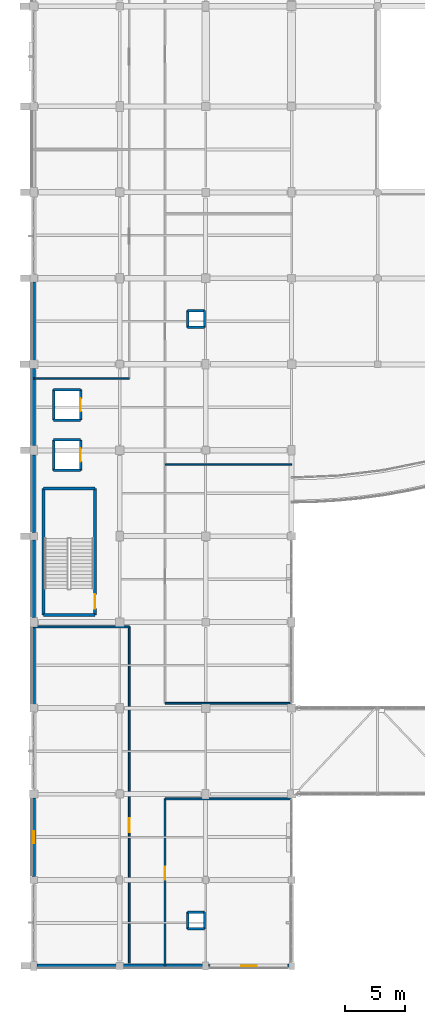
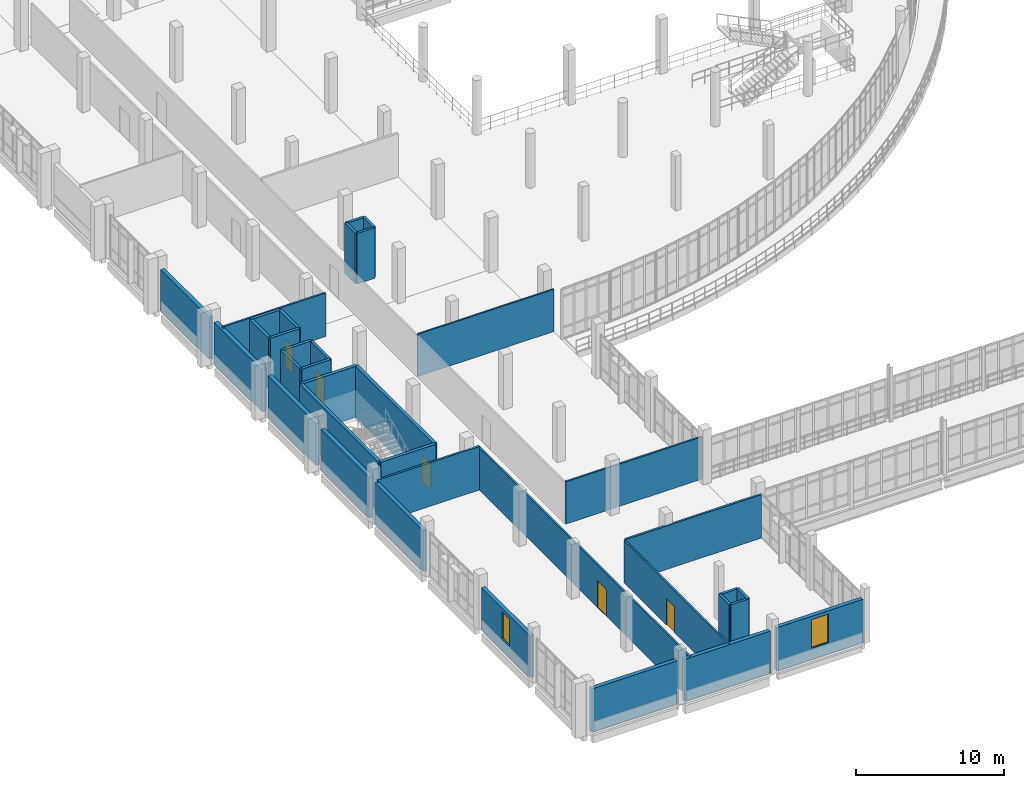
# One storey, part 106 of 124: 36 walls, 5 doors, 2 windows, 7 openings.
"""IFC4 building model written with IfcOpenShell, lengths in metres."""

from ifc_helpers import new_model, si_unit, direction, frame, frame_2d, origin, place, context, subcontext, project, spatial, rectangle, extrude, material, layer, layer_set, type_object, element, fill, save


model = new_model("IFC4")

# Units and contexts
model_context = context("Model", 3, precision=1e-05, world=origin(), true_north=direction((0.0, 1.0)))
body_context = subcontext(model_context, "Body", "Model", "MODEL_VIEW")
ifc_project = project(units=[si_unit("LENGTHUNIT", "METRE"), si_unit("AREAUNIT", "SQUARE_METRE"), si_unit("VOLUMEUNIT", "CUBIC_METRE"), si_unit("PLANEANGLEUNIT", "RADIAN"), si_unit("MASSUNIT", "GRAM", prefix="KILO")], contexts=[model_context])

# Site, building, storey
site_placement = place(None, origin())
site = spatial("IfcSite", under=ifc_project, at=site_placement, CompositionType="ELEMENT")
building_placement = place(site_placement, origin())
building = spatial("IfcBuilding", under=site, at=building_placement, Name="Kalluvel Institute of Natural Sciences", CompositionType="ELEMENT")
storey_placement = place(building_placement, frame((0.0, 0.0, 9.89990234375)))
storey = spatial("IfcBuildingStorey", under=building, at=storey_placement, Name="L02", CompositionType="ELEMENT", Elevation=9.89990234375)

# Wall
ifc_material_1 = material(Name="Concrete M40", Category="concrete")
ifc_layer_1 = layer(ifc_material_1, 0.25)
ifc_layer_set_1 = layer_set([ifc_layer_1], Name="Concrete M40")
wall_type_1 = type_object("IfcWallType", Name="WL-CORE-250", PredefinedType="SHEAR", material=ifc_layer_set_1)
wall_1_placement = place(storey_placement, frame((14.81494140625, 43.385009765625, 0.0), z_axis=(0.0, 0.0, 1.0), x_axis=(1.0, 0.0, 0.0)))
element("IfcWall", 1, at=wall_1_placement, inside=storey, type_object=wall_type_1, Name="ST4 L02 core wall S", PredefinedType="SHEAR", context=body_context, shape_type="SweptSolid", body=[
    extrude(rectangle(XDim=4.300048828125, YDim=0.25, at=frame_2d((2.14990234375, 0.0))), origin(), (0.0, 0.0, 1.0), 4.195068359375),
])

# Wall, opening, door
wall_2_placement = place(storey_placement, frame((19.114990234375, 43.385009765625, 0.0), z_axis=(0.0, 0.0, 1.0), x_axis=(0.0, 1.0, 0.0)))
wall_2 = element("IfcWall", 2, at=wall_2_placement, inside=storey, type_object=wall_type_1, Name="ST4 L02 core wall E", PredefinedType="SHEAR", context=body_context, shape_type="SweptSolid", body=[
    extrude(rectangle(XDim=10.6298828125, YDim=0.25, at=frame_2d((5.31494140625, 0.0))), origin(), (0.0, 0.0, 1.0), 4.195068359375),
])
opening_1_placement = place(wall_2_placement, frame((0.550048828125, 0.0, 0.0)))
opening_1 = element("IfcOpeningElement", 3, at=opening_1_placement, cuts=wall_2, Name="Opening DS-037", PredefinedType="OPENING", context=body_context, shape_type="SweptSolid", body=[
    extrude(rectangle(XDim=1.199951171875, YDim=2.14990234375, at=frame_2d((0.60009765625, 1.074951171875))), frame((0.0, 0.135009765625, 0.0), z_axis=(0.0, -1.0, 0.0), x_axis=(1.0, 0.0, 0.0)), (0.0, 0.0, 1.0), 0.27001953125),
])
ifc_material_2 = material(Name="Galvanized Fire-Rated Steel", Category="steel")
door_type_1 = type_object("IfcDoorType", Name="DR-ST-1200", OperationType="NOTDEFINED", PredefinedType="DOOR", material=ifc_material_2)
door_1_placement = place(opening_1_placement, origin())
door_1 = element("IfcDoor", 4, at=door_1_placement, inside=storey, type_object=door_type_1, Name="ST4 L02 protected stair door DS-037", OperationType="SINGLE_SWING_RIGHT", OverallHeight=2.14990234375, OverallWidth=1.199951171875, PredefinedType="DOOR", context=body_context, shape_type="SweptSolid", body=[
    extrude(rectangle(XDim=1.199951171875, YDim=2.14990234375, at=frame_2d((0.60009765625, 1.074951171875))), frame((0.0, 0.02490234375, 0.0), z_axis=(0.0, -1.0, 0.0), x_axis=(1.0, 0.0, 0.0)), (0.0, 0.0, 1.0), 0.050048828125),
])
fill(opening_1, door_1)

# Walls
wall_3_placement = place(storey_placement, frame((19.114990234375, 54.014892578125, 0.0), z_axis=(0.0, 0.0, 1.0), x_axis=(-1.0, 0.0, 0.0)))
element("IfcWall", 5, at=wall_3_placement, inside=storey, type_object=wall_type_1, Name="ST4 L02 core wall N", PredefinedType="SHEAR", context=body_context, shape_type="SweptSolid", body=[
    extrude(rectangle(XDim=4.300048828125, YDim=0.25, at=frame_2d((2.14990234375, 0.0))), origin(), (0.0, 0.0, 1.0), 4.195068359375),
])
wall_4_placement = place(storey_placement, frame((14.81494140625, 54.014892578125, 0.0), z_axis=(0.0, 0.0, 1.0), x_axis=(0.0, -1.0, 0.0)))
element("IfcWall", 6, at=wall_4_placement, inside=storey, type_object=wall_type_1, Name="ST4 L02 core wall W", PredefinedType="SHEAR", context=body_context, shape_type="SweptSolid", body=[
    extrude(rectangle(XDim=10.6298828125, YDim=0.25, at=frame_2d((5.31494140625, 0.0))), origin(), (0.0, 0.0, 1.0), 4.195068359375),
])

# Wall, opening, window
ifc_material_3 = material(Name="Sadarahalli Grey Granite Ashlar Concrete M40", Category="masonry")
ifc_layer_2 = layer(ifc_material_3, 0.300048828125)
ifc_layer_set_2 = layer_set([ifc_layer_2], Name="Sadarahalli Grey Granite Ashlar Concrete M40")
wall_type_2 = type_object("IfcWallType", Name="WL-EXT-300", PredefinedType="SOLIDWALL", material=ifc_layer_set_2)
wall_5_placement = place(storey_placement, frame((14.0, 21.47998046875, 0.0), z_axis=(0.0, 0.0, 1.0), x_axis=(0.0, 1.0, 0.0)))
wall_5 = element("IfcWall", 7, at=wall_5_placement, inside=storey, type_object=wall_type_2, Name="L02 Sadarahalli granite exterior wall WL-EXT-L02-0158", PredefinedType="SOLIDWALL", context=body_context, shape_type="SweptSolid", body=[
    extrude(rectangle(XDim=6.590087890625, YDim=0.300048828125, at=frame_2d((3.294921875, 0.0))), origin(), (0.0, 0.0, 1.0), 3.455078125),
])
opening_2_placement = place(wall_5_placement, frame((2.794921875, 0.0, 0.949951171875)))
opening_2 = element("IfcOpeningElement", 8, at=opening_2_placement, cuts=wall_5, Name="Opening W-02", PredefinedType="OPENING", context=body_context, shape_type="SweptSolid", body=[
    extrude(rectangle(XDim=1.0, YDim=2.199951171875, at=frame_2d((0.5, 1.10009765625))), frame((0.0, 0.159912109375, 0.0), z_axis=(0.0, -1.0, 0.0), x_axis=(1.0, 0.0, 0.0)), (0.0, 0.0, 1.0), 0.320068359375),
])
ifc_material_4 = material(Name="Solar-Control Low-E Laminated Glass", Category="glass")
window_type_1 = type_object("IfcWindowType", Name="WN-LAN-100x220", PartitioningType="SINGLE_PANEL", PredefinedType="WINDOW", material=ifc_material_4)
window_1_placement = place(opening_2_placement, origin())
window_1 = element("IfcWindow", 9, at=window_1_placement, inside=storey, type_object=window_type_1, Name="L02 Gothic lancet window 30", OverallHeight=2.199951171875, OverallWidth=1.0, PartitioningType="SINGLE_PANEL", PredefinedType="WINDOW", context=body_context, shape_type="SweptSolid", body=[
    extrude(rectangle(XDim=1.0, YDim=2.199951171875, at=frame_2d((0.5, 1.10009765625))), frame((0.0, 0.030029296875, 0.0), z_axis=(0.0, -1.0, 0.0), x_axis=(1.0, 0.0, 0.0)), (0.0, 0.0, 1.0), 0.06005859375),
])
fill(opening_2, window_1)

# Walls
wall_6_placement = place(storey_placement, frame((14.0, 35.905029296875, 0.0), z_axis=(0.0, 0.0, 1.0), x_axis=(0.0, 1.0, 0.0)))
element("IfcWall", 10, at=wall_6_placement, inside=storey, type_object=wall_type_2, Name="L02 Sadarahalli granite exterior wall WL-EXT-L02-0159", PredefinedType="SOLIDWALL", context=body_context, shape_type="SweptSolid", body=[
    extrude(rectangle(XDim=6.514892578125, YDim=0.300048828125, at=frame_2d((3.25732421875, 0.0))), origin(), (0.0, 0.0, 1.0), 3.375),
])
wall_7_placement = place(storey_placement, frame((14.0, 64.72998046875, 0.0), z_axis=(0.0, 0.0, 1.0), x_axis=(0.0, 1.0, 0.0)))
element("IfcWall", 11, at=wall_7_placement, inside=storey, type_object=wall_type_2, Name="L02 Sadarahalli granite exterior wall WL-EXT-L02-0163", PredefinedType="SOLIDWALL", context=body_context, shape_type="SweptSolid", body=[
    extrude(rectangle(XDim=6.56494140625, YDim=0.300048828125, at=frame_2d((3.282470703125, 0.0))), origin(), (0.0, 0.0, 1.0), 3.425048828125),
])
wall_8_placement = place(storey_placement, frame((14.2548828125, 14.0, 0.0), z_axis=(0.0, 0.0, 1.0), x_axis=(1.0, 0.0, 0.0)))
element("IfcWall", 12, at=wall_8_placement, inside=storey, type_object=wall_type_2, Name="L02 Sadarahalli granite exterior wall WL-EXT-L02-0166", PredefinedType="SOLIDWALL", context=body_context, shape_type="SweptSolid", body=[
    extrude(rectangle(XDim=6.6650390625, YDim=0.300048828125, at=frame_2d((3.33251953125, 0.0))), origin(), (0.0, 0.0, 1.0), 3.5751953125),
])
wall_9_placement = place(storey_placement, frame((21.47998046875, 14.0, 0.0), z_axis=(0.0, 0.0, 1.0), x_axis=(1.0, 0.0, 0.0)))
element("IfcWall", 13, at=wall_9_placement, inside=storey, type_object=wall_type_2, Name="L02 Sadarahalli granite exterior wall WL-EXT-L02-0167", PredefinedType="SOLIDWALL", context=body_context, shape_type="SweptSolid", body=[
    extrude(rectangle(XDim=6.68994140625, YDim=0.300048828125, at=frame_2d((3.344970703125, 0.0))), origin(), (0.0, 0.0, 1.0), 3.47509765625),
])

# Wall, opening, window
wall_10_placement = place(storey_placement, frame((28.6298828125, 14.0, 0.0), z_axis=(0.0, 0.0, 1.0), x_axis=(1.0, 0.0, 0.0)))
wall_10 = element("IfcWall", 14, at=wall_10_placement, inside=storey, type_object=wall_type_2, Name="L02 Sadarahalli granite exterior wall WL-EXT-L02-0168", PredefinedType="SOLIDWALL", context=body_context, shape_type="SweptSolid", body=[
    extrude(rectangle(XDim=6.76513671875, YDim=0.300048828125, at=frame_2d((3.382568359375, 0.0))), origin(), (0.0, 0.0, 1.0), 3.5751953125),
])
opening_3_placement = place(wall_10_placement, frame((2.732421875, 0.0, 0.949951171875)))
opening_3 = element("IfcOpeningElement", 15, at=opening_3_placement, cuts=wall_10, Name="Opening W-17", PredefinedType="OPENING", context=body_context, shape_type="SweptSolid", body=[
    extrude(rectangle(XDim=1.300048828125, YDim=2.35009765625, at=frame_2d((0.64990234375, 1.175048828125))), frame((0.0, 0.159912109375, 0.0), z_axis=(0.0, -1.0, 0.0), x_axis=(1.0, 0.0, 0.0)), (0.0, 0.0, 1.0), 0.320068359375),
])
window_type_2 = type_object("IfcWindowType", Name="WN-LAN-130x235", PartitioningType="SINGLE_PANEL", PredefinedType="WINDOW", material=ifc_material_4)
window_2_placement = place(opening_3_placement, origin())
window_2 = element("IfcWindow", 16, at=window_2_placement, inside=storey, type_object=window_type_2, Name="L02 Gothic lancet window 31", OverallHeight=2.35009765625, OverallWidth=1.300048828125, PartitioningType="SINGLE_PANEL", PredefinedType="WINDOW", context=body_context, shape_type="SweptSolid", body=[
    extrude(rectangle(XDim=1.300048828125, YDim=2.35009765625, at=frame_2d((0.64990234375, 1.175048828125))), frame((0.0, 0.030029296875, 0.0), z_axis=(0.0, -1.0, 0.0), x_axis=(1.0, 0.0, 0.0)), (0.0, 0.0, 1.0), 0.06005859375),
])
fill(opening_3, window_2)

# Walls
ifc_layer_3 = layer(ifc_material_3, 0.320068359375)
ifc_layer_set_3 = layer_set([ifc_layer_3], Name="Sadarahalli Grey Granite Ashlar Concrete M40")
wall_type_3 = type_object("IfcWallType", Name="WL-EXT-320", PredefinedType="SOLIDWALL", material=ifc_layer_set_3)
wall_11_placement = place(storey_placement, frame((14.0, 43.179931640625, 0.0), z_axis=(0.0, 0.0, 1.0), x_axis=(0.0, 1.0, 0.0)))
element("IfcWall", 17, at=wall_11_placement, inside=storey, type_object=wall_type_3, Name="L02 Sadarahalli granite exterior wall WL-EXT-L02-0160", PredefinedType="SOLIDWALL", context=body_context, shape_type="SweptSolid", body=[
    extrude(rectangle(XDim=6.51513671875, YDim=0.320068359375, at=frame_2d((3.257568359375, 0.0))), origin(), (0.0, 0.0, 1.0), 3.375),
])
wall_12_placement = place(storey_placement, frame((14.0, 50.304931640625, 0.0), z_axis=(0.0, 0.0, 1.0), x_axis=(0.0, 1.0, 0.0)))
element("IfcWall", 18, at=wall_12_placement, inside=storey, type_object=wall_type_3, Name="L02 Sadarahalli granite exterior wall WL-EXT-L02-0161", PredefinedType="SOLIDWALL", context=body_context, shape_type="SweptSolid", body=[
    extrude(rectangle(XDim=6.51513671875, YDim=0.320068359375, at=frame_2d((3.257568359375, 0.0))), origin(), (0.0, 0.0, 1.0), 3.455078125),
])
wall_13_placement = place(storey_placement, frame((14.0, 57.580078125, 0.0), z_axis=(0.0, 0.0, 1.0), x_axis=(0.0, 1.0, 0.0)))
element("IfcWall", 19, at=wall_13_placement, inside=storey, type_object=wall_type_3, Name="L02 Sadarahalli granite exterior wall WL-EXT-L02-0162", PredefinedType="SOLIDWALL", context=body_context, shape_type="SweptSolid", body=[
    extrude(rectangle(XDim=6.489990234375, YDim=0.320068359375, at=frame_2d((3.2451171875, 0.0))), origin(), (0.0, 0.0, 1.0), 3.455078125),
])
ifc_material_5 = material(Name="Acoustic Gypsum Twin-Stud Partition", Category="gypsum")
ifc_layer_4 = layer(ifc_material_5, 0.1201171875)
ifc_layer_set_4 = layer_set([ifc_layer_4], Name="Acoustic Gypsum Twin-Stud Partition")
wall_type_4 = type_object("IfcWallType", Name="WL-PART-120", PredefinedType="PARTITIONING", material=ifc_layer_set_4)
wall_14_placement = place(storey_placement, frame((25.0, 56.0, 0.0), z_axis=(0.0, 0.0, 1.0), x_axis=(1.0, 0.0, 0.0)))
element("IfcWall", 20, at=wall_14_placement, inside=storey, type_object=wall_type_4, Name="L02 interior partition wall WL-INT-L02-0155", PredefinedType="PARTITIONING", context=body_context, shape_type="SweptSolid", body=[
    extrude(rectangle(XDim=10.60009765625, YDim=0.1201171875, at=frame_2d((5.300048828125, 0.0))), origin(), (0.0, 0.0, 1.0), 3.47998046875),
])

# Wall, opening, door
ifc_layer_5 = layer(ifc_material_5, 0.139892578125)
ifc_layer_set_5 = layer_set([ifc_layer_5], Name="Acoustic Gypsum Twin-Stud Partition")
wall_type_5 = type_object("IfcWallType", Name="WL-PART-140", PredefinedType="PARTITIONING", material=ifc_layer_set_5)
wall_15_placement = place(storey_placement, frame((25.0, 14.0, 0.0), z_axis=(0.0, 0.0, 1.0), x_axis=(0.0, 1.0, 0.0)))
wall_15 = element("IfcWall", 21, at=wall_15_placement, inside=storey, type_object=wall_type_5, Name="L02 interior partition wall WL-INT-L02-0151", PredefinedType="PARTITIONING", context=body_context, shape_type="SweptSolid", body=[
    extrude(rectangle(XDim=14.0, YDim=0.139892578125, at=frame_2d((7.0, 0.0))), origin(), (0.0, 0.0, 1.0), 3.47998046875),
])
opening_4_placement = place(wall_15_placement, frame((7.199951171875, 0.0, 0.0)))
opening_4 = element("IfcOpeningElement", 22, at=opening_4_placement, cuts=wall_15, Name="Opening D-136", PredefinedType="OPENING", context=body_context, shape_type="SweptSolid", body=[
    extrude(rectangle(XDim=1.10009765625, YDim=2.14990234375, at=frame_2d((0.550048828125, 1.074951171875))), frame((0.0, 0.079833984375, 0.0), z_axis=(0.0, -1.0, 0.0), x_axis=(1.0, 0.0, 0.0)), (0.0, 0.0, 1.0), 0.159912109375),
])
ifc_material_6 = material(Name="Engineered Hardwood Acoustic Leaf", Category="wood")
door_type_2 = type_object("IfcDoorType", Name="DR-INT-1100", OperationType="NOTDEFINED", PredefinedType="DOOR", material=ifc_material_6)
door_2_placement = place(opening_4_placement, origin())
door_2 = element("IfcDoor", 23, at=door_2_placement, inside=storey, type_object=door_type_2, Name="Cheminformatics Molecular Docking Studio door D-136", OperationType="SINGLE_SWING_LEFT", OverallHeight=2.14990234375, OverallWidth=1.10009765625, PredefinedType="DOOR", context=body_context, shape_type="SweptSolid", body=[
    extrude(rectangle(XDim=1.10009765625, YDim=2.14990234375, at=frame_2d((0.550048828125, 1.074951171875))), frame((0.0, 0.02490234375, 0.0), z_axis=(0.0, -1.0, 0.0), x_axis=(1.0, 0.0, 0.0)), (0.0, 0.0, 1.0), 0.050048828125),
])
fill(opening_4, door_2)

# Wall
wall_16_placement = place(storey_placement, frame((25.0, 36.0, 0.0), z_axis=(0.0, 0.0, 1.0), x_axis=(1.0, 0.0, 0.0)))
element("IfcWall", 24, at=wall_16_placement, inside=storey, type_object=wall_type_5, Name="L02 interior partition wall WL-INT-L02-0154", PredefinedType="PARTITIONING", context=body_context, shape_type="SweptSolid", body=[
    extrude(rectangle(XDim=10.60009765625, YDim=0.139892578125, at=frame_2d((5.300048828125, 0.0))), origin(), (0.0, 0.0, 1.0), 3.47998046875),
])

# Wall, opening, door
wall_17_placement = place(storey_placement, frame((22.0, 14.0, 0.0), z_axis=(0.0, 0.0, 1.0), x_axis=(0.0, 1.0, 0.0)))
wall_17 = element("IfcWall", 25, at=wall_17_placement, inside=storey, type_object=wall_type_5, Name="L02 interior partition wall WL-INT-L02-0157", PredefinedType="PARTITIONING", context=body_context, shape_type="SweptSolid", body=[
    extrude(rectangle(XDim=28.39990234375, YDim=0.139892578125, at=frame_2d((14.199951171875, 0.0))), origin(), (0.0, 0.0, 1.0), 3.47998046875),
])
opening_5_placement = place(wall_17_placement, frame((11.199951171875, 0.0, 0.0)))
opening_5 = element("IfcOpeningElement", 26, at=opening_5_placement, cuts=wall_17, Name="Opening D-140", PredefinedType="OPENING", context=body_context, shape_type="SweptSolid", body=[
    extrude(rectangle(XDim=1.179931640625, YDim=2.199951171875, at=frame_2d((0.58984375, 1.10009765625))), frame((0.0, 0.079833984375, 0.0), z_axis=(0.0, -1.0, 0.0), x_axis=(1.0, 0.0, 0.0)), (0.0, 0.0, 1.0), 0.159912109375),
])
door_type_3 = type_object("IfcDoorType", Name="DR-INT-1180", OperationType="NOTDEFINED", PredefinedType="DOOR", material=ifc_material_6)
door_3_placement = place(opening_5_placement, origin())
door_3 = element("IfcDoor", 27, at=door_3_placement, inside=storey, type_object=door_type_3, Name="L02 DW-S door D-140", OperationType="SINGLE_SWING_RIGHT", OverallHeight=2.199951171875, OverallWidth=1.179931640625, PredefinedType="DOOR", context=body_context, shape_type="SweptSolid", body=[
    extrude(rectangle(XDim=1.179931640625, YDim=2.199951171875, at=frame_2d((0.58984375, 1.10009765625))), frame((0.0, 0.02490234375, 0.0), z_axis=(0.0, -1.0, 0.0), x_axis=(1.0, 0.0, 0.0)), (0.0, 0.0, 1.0), 0.050048828125),
])
fill(opening_5, door_3)

# Walls
wall_18_placement = place(storey_placement, frame((14.0, 63.199951171875, 0.0), z_axis=(0.0, 0.0, 1.0), x_axis=(1.0, 0.0, 0.0)))
element("IfcWall", 28, at=wall_18_placement, inside=storey, type_object=wall_type_5, Name="L02 interior partition wall WL-INT-L02-0160", PredefinedType="PARTITIONING", context=body_context, shape_type="SweptSolid", body=[
    extrude(rectangle(XDim=8.0, YDim=0.139892578125, at=frame_2d((4.0, 0.0))), origin(), (0.0, 0.0, 1.0), 3.580078125),
])
ifc_material_7 = material(Name="Autoclaved Aerated Concrete Masonry Block", Category="masonry")
ifc_layer_6 = layer(ifc_material_7, 0.159912109375)
ifc_layer_set_6 = layer_set([ifc_layer_6], Name="Autoclaved Aerated Concrete Masonry Block")
wall_type_6 = type_object("IfcWallType", Name="WL-PART-160", PredefinedType="PARTITIONING", material=ifc_layer_set_6)
wall_19_placement = place(storey_placement, frame((25.0, 28.0, 0.0), z_axis=(0.0, 0.0, 1.0), x_axis=(1.0, 0.0, 0.0)))
element("IfcWall", 29, at=wall_19_placement, inside=storey, type_object=wall_type_6, Name="L02 interior partition wall WL-INT-L02-0153", PredefinedType="PARTITIONING", context=body_context, shape_type="SweptSolid", body=[
    extrude(rectangle(XDim=10.60009765625, YDim=0.159912109375, at=frame_2d((5.300048828125, 0.0))), origin(), (0.0, 0.0, 1.0), 3.580078125),
])
wall_20_placement = place(storey_placement, frame((14.0, 42.39990234375, 0.0), z_axis=(0.0, 0.0, 1.0), x_axis=(1.0, 0.0, 0.0)))
element("IfcWall", 30, at=wall_20_placement, inside=storey, type_object=wall_type_6, Name="L02 interior partition wall WL-INT-L02-0159", PredefinedType="PARTITIONING", context=body_context, shape_type="SweptSolid", body=[
    extrude(rectangle(XDim=8.0, YDim=0.159912109375, at=frame_2d((4.0, 0.0))), origin(), (0.0, 0.0, 1.0), 3.580078125),
])
ifc_layer_7 = layer(ifc_material_1, 0.199951171875)
ifc_layer_set_7 = layer_set([ifc_layer_7], Name="Concrete M40")
wall_type_7 = type_object("IfcWallType", Name="WL-RISER-200", PredefinedType="SHEAR", material=ifc_layer_set_7)
wall_21_placement = place(storey_placement, frame((26.89990234375, 17.10009765625, 0.0), z_axis=(0.0, 0.0, 1.0), x_axis=(1.0, 0.0, 0.0)))
element("IfcWall", 31, at=wall_21_placement, inside=storey, type_object=wall_type_7, Name="RS-DRY-S L02 service riser enclosure S", PredefinedType="SHEAR", context=body_context, shape_type="SweptSolid", body=[
    extrude(rectangle(XDim=1.400146484375, YDim=0.199951171875, at=frame_2d((0.7001953125, 0.0))), origin(), (0.0, 0.0, 1.0), 4.16015625),
])
wall_22_placement = place(storey_placement, frame((28.300048828125, 17.10009765625, 0.0), z_axis=(0.0, 0.0, 1.0), x_axis=(0.0, 1.0, 0.0)))
element("IfcWall", 32, at=wall_22_placement, inside=storey, type_object=wall_type_7, Name="RS-DRY-S L02 service riser enclosure E", PredefinedType="SHEAR", context=body_context, shape_type="SweptSolid", body=[
    extrude(rectangle(XDim=1.39990234375, YDim=0.199951171875, at=frame_2d((0.699951171875, 0.0))), origin(), (0.0, 0.0, 1.0), 4.16015625),
])
wall_23_placement = place(storey_placement, frame((28.300048828125, 18.5, 0.0), z_axis=(0.0, 0.0, 1.0), x_axis=(-1.0, 0.0, 0.0)))
element("IfcWall", 33, at=wall_23_placement, inside=storey, type_object=wall_type_7, Name="RS-DRY-S L02 service riser enclosure N", PredefinedType="SHEAR", context=body_context, shape_type="SweptSolid", body=[
    extrude(rectangle(XDim=1.400146484375, YDim=0.199951171875, at=frame_2d((0.7001953125, 0.0))), origin(), (0.0, 0.0, 1.0), 4.16015625),
])
wall_24_placement = place(storey_placement, frame((26.89990234375, 18.5, 0.0), z_axis=(0.0, 0.0, 1.0), x_axis=(0.0, -1.0, 0.0)))
element("IfcWall", 34, at=wall_24_placement, inside=storey, type_object=wall_type_7, Name="RS-DRY-S L02 service riser enclosure W", PredefinedType="SHEAR", context=body_context, shape_type="SweptSolid", body=[
    extrude(rectangle(XDim=1.39990234375, YDim=0.199951171875, at=frame_2d((0.699951171875, 0.0))), origin(), (0.0, 0.0, 1.0), 4.16015625),
])
wall_25_placement = place(storey_placement, frame((26.89990234375, 67.5, 0.0), z_axis=(0.0, 0.0, 1.0), x_axis=(1.0, 0.0, 0.0)))
element("IfcWall", 35, at=wall_25_placement, inside=storey, type_object=wall_type_7, Name="RS-DRY-N L02 service riser enclosure S", PredefinedType="SHEAR", context=body_context, shape_type="SweptSolid", body=[
    extrude(rectangle(XDim=1.400146484375, YDim=0.199951171875, at=frame_2d((0.7001953125, 0.0))), origin(), (0.0, 0.0, 1.0), 4.16015625),
])
wall_26_placement = place(storey_placement, frame((28.300048828125, 67.5, 0.0), z_axis=(0.0, 0.0, 1.0), x_axis=(0.0, 1.0, 0.0)))
element("IfcWall", 36, at=wall_26_placement, inside=storey, type_object=wall_type_7, Name="RS-DRY-N L02 service riser enclosure E", PredefinedType="SHEAR", context=body_context, shape_type="SweptSolid", body=[
    extrude(rectangle(XDim=1.39990234375, YDim=0.199951171875, at=frame_2d((0.699951171875, 0.0))), origin(), (0.0, 0.0, 1.0), 4.16015625),
])
wall_27_placement = place(storey_placement, frame((28.300048828125, 68.89990234375, 0.0), z_axis=(0.0, 0.0, 1.0), x_axis=(-1.0, 0.0, 0.0)))
element("IfcWall", 37, at=wall_27_placement, inside=storey, type_object=wall_type_7, Name="RS-DRY-N L02 service riser enclosure N", PredefinedType="SHEAR", context=body_context, shape_type="SweptSolid", body=[
    extrude(rectangle(XDim=1.400146484375, YDim=0.199951171875, at=frame_2d((0.7001953125, 0.0))), origin(), (0.0, 0.0, 1.0), 4.16015625),
])
wall_28_placement = place(storey_placement, frame((26.89990234375, 68.89990234375, 0.0), z_axis=(0.0, 0.0, 1.0), x_axis=(0.0, -1.0, 0.0)))
element("IfcWall", 38, at=wall_28_placement, inside=storey, type_object=wall_type_7, Name="RS-DRY-N L02 service riser enclosure W", PredefinedType="SHEAR", context=body_context, shape_type="SweptSolid", body=[
    extrude(rectangle(XDim=1.39990234375, YDim=0.199951171875, at=frame_2d((0.699951171875, 0.0))), origin(), (0.0, 0.0, 1.0), 4.16015625),
])
ifc_layer_8 = layer(ifc_material_1, 0.219970703125)
ifc_layer_set_8 = layer_set([ifc_layer_8], Name="Concrete M40")
wall_type_8 = type_object("IfcWallType", Name="WL-SHAFT-220", PredefinedType="SHEAR", material=ifc_layer_set_8)
wall_29_placement = place(storey_placement, frame((15.669921875, 55.52001953125, 0.0), z_axis=(0.0, 0.0, 1.0), x_axis=(1.0, 0.0, 0.0)))
element("IfcWall", 39, at=wall_29_placement, inside=storey, type_object=wall_type_8, Name="LF6 L02 lift shaft wall", PredefinedType="SHEAR", context=body_context, shape_type="SweptSolid", body=[
    extrude(rectangle(XDim=2.260009765625, YDim=0.219970703125, at=frame_2d((1.1298828125, 0.0))), origin(), (0.0, 0.0, 1.0), 4.195068359375),
])

# Wall, opening, door
wall_30_placement = place(storey_placement, frame((17.929931640625, 55.52001953125, 0.0), z_axis=(0.0, 0.0, 1.0), x_axis=(0.0, 1.0, 0.0)))
wall_30 = element("IfcWall", 40, at=wall_30_placement, inside=storey, type_object=wall_type_8, Name="LF6 L02 lift shaft wall", PredefinedType="SHEAR", context=body_context, shape_type="SweptSolid", body=[
    extrude(rectangle(XDim=2.56005859375, YDim=0.219970703125, at=frame_2d((1.280029296875, 0.0))), origin(), (0.0, 0.0, 1.0), 4.195068359375),
])
opening_6_placement = place(wall_30_placement, frame((0.72998046875, 0.0, 0.0)))
opening_6 = element("IfcOpeningElement", 41, at=opening_6_placement, cuts=wall_30, Name="Opening LD-046", PredefinedType="OPENING", context=body_context, shape_type="SweptSolid", body=[
    extrude(rectangle(XDim=1.10009765625, YDim=2.14990234375, at=frame_2d((0.550048828125, 1.074951171875))), frame((0.0, 0.119873046875, 0.0), z_axis=(0.0, -1.0, 0.0), x_axis=(1.0, 0.0, 0.0)), (0.0, 0.0, 1.0), 0.239990234375),
])
door_type_4 = type_object("IfcDoorType", Name="DR-LD-1100", OperationType="NOTDEFINED", PredefinedType="DOOR", material=ifc_material_2)
door_4_placement = place(opening_6_placement, origin())
door_4 = element("IfcDoor", 42, at=door_4_placement, inside=storey, type_object=door_type_4, Name="LF6 L02 sliding lift landing door LD-046", OperationType="DOUBLE_DOOR_SLIDING", OverallHeight=2.14990234375, OverallWidth=1.10009765625, PredefinedType="DOOR", context=body_context, shape_type="SweptSolid", body=[
    extrude(rectangle(XDim=1.10009765625, YDim=2.14990234375, at=frame_2d((0.550048828125, 1.074951171875))), frame((0.0, 0.02490234375, 0.0), z_axis=(0.0, -1.0, 0.0), x_axis=(1.0, 0.0, 0.0)), (0.0, 0.0, 1.0), 0.050048828125),
])
fill(opening_6, door_4)

# Walls
wall_31_placement = place(storey_placement, frame((17.929931640625, 58.080078125, 0.0), z_axis=(0.0, 0.0, 1.0), x_axis=(-1.0, 0.0, 0.0)))
element("IfcWall", 43, at=wall_31_placement, inside=storey, type_object=wall_type_8, Name="LF6 L02 lift shaft wall", PredefinedType="SHEAR", context=body_context, shape_type="SweptSolid", body=[
    extrude(rectangle(XDim=2.260009765625, YDim=0.219970703125, at=frame_2d((1.1298828125, 0.0))), origin(), (0.0, 0.0, 1.0), 4.195068359375),
])
wall_32_placement = place(storey_placement, frame((15.669921875, 58.080078125, 0.0), z_axis=(0.0, 0.0, 1.0), x_axis=(0.0, -1.0, 0.0)))
element("IfcWall", 44, at=wall_32_placement, inside=storey, type_object=wall_type_8, Name="LF6 L02 lift shaft wall", PredefinedType="SHEAR", context=body_context, shape_type="SweptSolid", body=[
    extrude(rectangle(XDim=2.56005859375, YDim=0.219970703125, at=frame_2d((1.280029296875, 0.0))), origin(), (0.0, 0.0, 1.0), 4.195068359375),
])
wall_33_placement = place(storey_placement, frame((15.669921875, 59.719970703125, 0.0), z_axis=(0.0, 0.0, 1.0), x_axis=(1.0, 0.0, 0.0)))
element("IfcWall", 45, at=wall_33_placement, inside=storey, type_object=wall_type_8, Name="LF7 L02 lift shaft wall", PredefinedType="SHEAR", context=body_context, shape_type="SweptSolid", body=[
    extrude(rectangle(XDim=2.260009765625, YDim=0.219970703125, at=frame_2d((1.1298828125, 0.0))), origin(), (0.0, 0.0, 1.0), 4.195068359375),
])

# Wall, opening, door
wall_34_placement = place(storey_placement, frame((17.929931640625, 59.719970703125, 0.0), z_axis=(0.0, 0.0, 1.0), x_axis=(0.0, 1.0, 0.0)))
wall_34 = element("IfcWall", 46, at=wall_34_placement, inside=storey, type_object=wall_type_8, Name="LF7 L02 lift shaft wall", PredefinedType="SHEAR", context=body_context, shape_type="SweptSolid", body=[
    extrude(rectangle(XDim=2.56005859375, YDim=0.219970703125, at=frame_2d((1.280029296875, 0.0))), origin(), (0.0, 0.0, 1.0), 4.195068359375),
])
opening_7_placement = place(wall_34_placement, frame((0.72998046875, 0.0, 0.0)))
opening_7 = element("IfcOpeningElement", 47, at=opening_7_placement, cuts=wall_34, Name="Opening LD-054", PredefinedType="OPENING", context=body_context, shape_type="SweptSolid", body=[
    extrude(rectangle(XDim=1.10009765625, YDim=2.14990234375, at=frame_2d((0.550048828125, 1.074951171875))), frame((0.0, 0.119873046875, 0.0), z_axis=(0.0, -1.0, 0.0), x_axis=(1.0, 0.0, 0.0)), (0.0, 0.0, 1.0), 0.239990234375),
])
door_5_placement = place(opening_7_placement, origin())
door_5 = element("IfcDoor", 48, at=door_5_placement, inside=storey, type_object=door_type_4, Name="LF7 L02 sliding lift landing door LD-054", OperationType="DOUBLE_DOOR_SLIDING", OverallHeight=2.14990234375, OverallWidth=1.10009765625, PredefinedType="DOOR", context=body_context, shape_type="SweptSolid", body=[
    extrude(rectangle(XDim=1.10009765625, YDim=2.14990234375, at=frame_2d((0.550048828125, 1.074951171875))), frame((0.0, 0.02490234375, 0.0), z_axis=(0.0, -1.0, 0.0), x_axis=(1.0, 0.0, 0.0)), (0.0, 0.0, 1.0), 0.050048828125),
])
fill(opening_7, door_5)

# Walls
wall_35_placement = place(storey_placement, frame((17.929931640625, 62.280029296875, 0.0), z_axis=(0.0, 0.0, 1.0), x_axis=(-1.0, 0.0, 0.0)))
element("IfcWall", 49, at=wall_35_placement, inside=storey, type_object=wall_type_8, Name="LF7 L02 lift shaft wall", PredefinedType="SHEAR", context=body_context, shape_type="SweptSolid", body=[
    extrude(rectangle(XDim=2.260009765625, YDim=0.219970703125, at=frame_2d((1.1298828125, 0.0))), origin(), (0.0, 0.0, 1.0), 4.195068359375),
])
wall_36_placement = place(storey_placement, frame((15.669921875, 62.280029296875, 0.0), z_axis=(0.0, 0.0, 1.0), x_axis=(0.0, -1.0, 0.0)))
element("IfcWall", 50, at=wall_36_placement, inside=storey, type_object=wall_type_8, Name="LF7 L02 lift shaft wall", PredefinedType="SHEAR", context=body_context, shape_type="SweptSolid", body=[
    extrude(rectangle(XDim=2.56005859375, YDim=0.219970703125, at=frame_2d((1.280029296875, 0.0))), origin(), (0.0, 0.0, 1.0), 4.195068359375),
])

save(model, "model.ifc")
